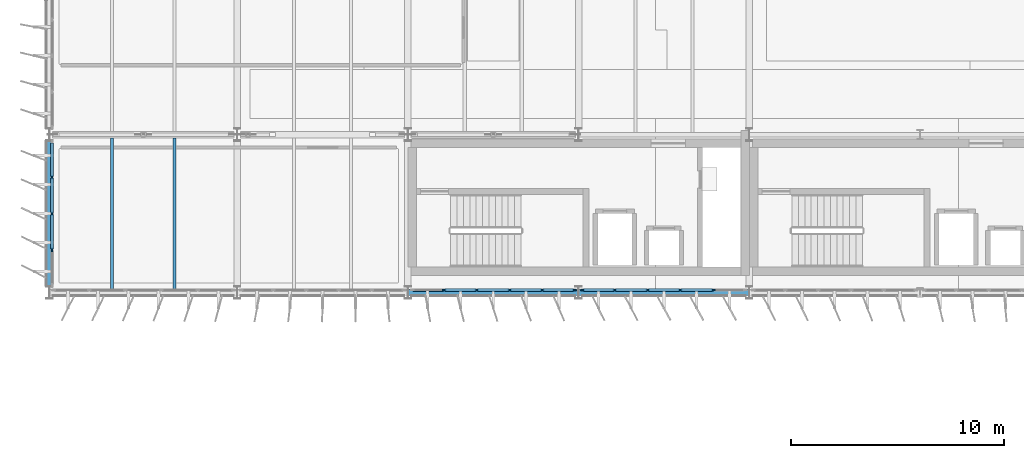
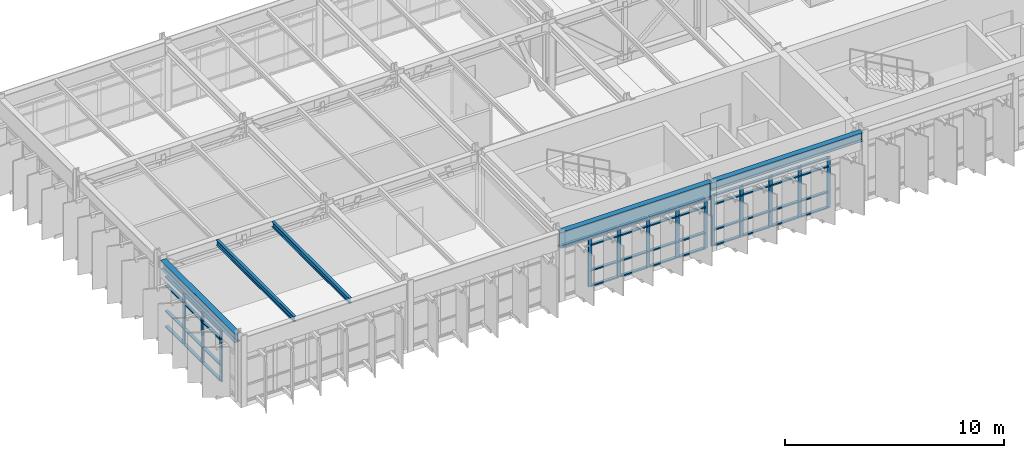
# One storey, part 10 of 56: 58 members, 5 beams, 3 elements without a shape of their own.
"""IFC4 building model written with IfcOpenShell, lengths in metres."""

from ifc_helpers import new_model, si_unit, direction, frame, origin, origin_2d, place, context, subcontext, project, spatial, rectangle, i_section, extrude, material, layer, layer_set, material_profile, profile_set, type_object, element, aggregate, save


model = new_model("IFC4")

# Units and contexts
model_context = context("Model", 3, precision=1e-05, world=origin(), true_north=direction((0.0, 1.0)))
body_context = subcontext(model_context, "Body", "Model", "MODEL_VIEW")
ifc_project = project(units=[si_unit("LENGTHUNIT", "METRE"), si_unit("AREAUNIT", "SQUARE_METRE"), si_unit("VOLUMEUNIT", "CUBIC_METRE"), si_unit("PLANEANGLEUNIT", "RADIAN"), si_unit("MASSUNIT", "GRAM", prefix="KILO")], contexts=[model_context])

# Site, building, storey
site_placement = place(None, origin())
site = spatial("IfcSite", under=ifc_project, at=site_placement, CompositionType="ELEMENT")
building_placement = place(site_placement, origin())
building = spatial("IfcBuilding", under=site, at=building_placement, Name="Valkorina Park Police Headquarters", CompositionType="ELEMENT")
storey_placement = place(building_placement, frame((0.0, 0.0, 14.10009765625)))
storey = spatial("IfcBuildingStorey", under=building, at=storey_placement, Name="L04", CompositionType="ELEMENT", Elevation=14.10009765625)

# Beams
ifc_material_1 = material(Name="Steel S355", Category="steel")
ifc_material_profile_1 = material_profile(ifc_material_1, i_section(OverallWidth=0.300048828125, OverallDepth=0.489990234375, WebThickness=0.011962890625, FlangeThickness=0.02294921875, FilletRadius=0.027099609375, at=origin_2d()), Name="HEA 500")
ifc_profile_set_1 = profile_set([ifc_material_profile_1], Name="Steel S355")
beam_type_1 = type_object("IfcBeamType", Name="BM-S355-HEA500-SPN", PredefinedType="SPANDREL", material=ifc_profile_set_1)
beam_1_placement = place(storey_placement, frame((24.8076171875, 37.0, 3.510009765625), z_axis=(1.0, 0.0, 0.0), x_axis=(0.0, 1.0, 0.0)))
element("IfcBeam", 1, at=beam_1_placement, inside=storey, type_object=beam_type_1, Name="L04 Framing Beam 2217", PredefinedType="SPANDREL", context=body_context, shape_type="SweptSolid", body=[
    extrude(i_section(OverallWidth=0.300048828125, OverallDepth=0.489990234375, WebThickness=0.011962890625, FlangeThickness=0.02294921875, FilletRadius=0.027099609375, at=origin_2d()), origin(), (0.0, 0.0, 1.0), 7.984619140625),
])
beam_2_placement = place(storey_placement, frame((0.0, 37.300048828125, 3.510009765625), z_axis=(0.0, 1.0, 0.0), x_axis=(-1.0, 0.0, 0.0)))
element("IfcBeam", 2, at=beam_2_placement, inside=storey, type_object=beam_type_1, Name="L04 Framing Beam 2291", PredefinedType="SPANDREL", context=body_context, shape_type="SweptSolid", body=[
    extrude(i_section(OverallWidth=0.300048828125, OverallDepth=0.489990234375, WebThickness=0.011962890625, FlangeThickness=0.02294921875, FilletRadius=0.027099609375, at=origin_2d()), origin(), (0.0, 0.0, 1.0), 6.800048828125),
])
ifc_material_profile_2 = material_profile(ifc_material_1, i_section(OverallWidth=0.300048828125, OverallDepth=0.89990234375, WebThickness=0.0185546875, FlangeThickness=0.034912109375, FilletRadius=0.030029296875, at=origin_2d()), Name="HEB 900")
ifc_profile_set_2 = profile_set([ifc_material_profile_2], Name="Steel S355")
beam_type_2 = type_object("IfcBeamType", Name="BM-S355-HEB900-EXT", PredefinedType="SPANDREL", material=ifc_profile_set_2)
beam_3_placement = place(storey_placement, frame((16.8076171875, 37.0, 3.304931640625), z_axis=(1.0, 0.0, 0.0), x_axis=(0.0, 1.0, 0.0)))
element("IfcBeam", 3, at=beam_3_placement, inside=storey, type_object=beam_type_2, Name="L04 Framing Beam 2216", PredefinedType="SPANDREL", context=body_context, shape_type="SweptSolid", body=[
    extrude(i_section(OverallWidth=0.300048828125, OverallDepth=0.89990234375, WebThickness=0.0185546875, FlangeThickness=0.034912109375, FilletRadius=0.030029296875, at=origin_2d()), origin(), (0.0, 0.0, 1.0), 7.984619140625),
])
ifc_material_profile_3 = material_profile(ifc_material_1, i_section(OverallWidth=0.14990234375, OverallDepth=0.300048828125, WebThickness=0.007080078125, FlangeThickness=0.0107421875, FilletRadius=0.014892578125, at=origin_2d()), Name="IPE 300")
ifc_profile_set_3 = profile_set([ifc_material_profile_3], Name="Steel S355")
beam_type_3 = type_object("IfcBeamType", Name="BM-S355-IPE300-JST", PredefinedType="JOIST", material=ifc_profile_set_3)
for number, where, z_axis, x_axis, name in (
    (4, (2.933349609375, 37.14990234375, 3.60498046875), (0.0, 1.0, 0.0), (-1.0, 0.0, 0.0), "L04 Framing Beam 2292"),
    (5, (5.86669921875, 37.14990234375, 3.60498046875), (0.0, 1.0, 0.0), (-1.0, 0.0, 0.0), "L04 Framing Beam 2293"),
):
    element("IfcBeam", number, at=place(storey_placement, frame(where, z_axis=z_axis, x_axis=x_axis)), inside=storey, type_object=beam_type_3, Name=name, PredefinedType="JOIST", context=body_context, shape_type="SweptSolid", body=[
        extrude(i_section(OverallWidth=0.14990234375, OverallDepth=0.300048828125, WebThickness=0.007080078125, FlangeThickness=0.0107421875, FilletRadius=0.014892578125, at=origin_2d()), origin(), (0.0, 0.0, 1.0), 7.10009765625),
    ])

# Curtain wall, members
ifc_material_2 = material(Name="Thermally broken aluminium AW-6060", Category="aluminium")
ifc_layer_1 = layer(ifc_material_2, 0.18994140625)
ifc_layer_set_1 = layer_set([ifc_layer_1], Name="Thermally broken aluminium AW-6060")
curtain_wall_type_1 = type_object("IfcCurtainWallType", Name="CW-V5-7680x2840", PredefinedType="NOTDEFINED", material=ifc_layer_set_1)
curtain_wall_1_placement = place(storey_placement, origin())
curtain_wall_1 = element("IfcCurtainWall", 6, at=curtain_wall_1_placement, inside=storey, type_object=curtain_wall_type_1, Name="L04 Unitised Curtain Wall 054", PredefinedType="NOTDEFINED")
ifc_material_profile_4 = material_profile(ifc_material_2, rectangle(XDim=0.070068359375, YDim=0.18994140625, at=origin_2d()), Name="CWM-02 70x190")
ifc_profile_set_4 = profile_set([ifc_material_profile_4], Name="Thermally broken aluminium AW-6060")
member_type_1 = type_object("IfcMemberType", Name="CWM-70x190", PredefinedType="MULLION", material=ifc_profile_set_4)
member_1_placement = place(storey_placement, frame((31.10400390625, 37.1201171875, 0.0), z_axis=(0.0, 0.0, 1.0), x_axis=(0.0, -1.0, 0.0)))
member_1 = element("IfcMember", 7, at=member_1_placement, type_object=member_type_1, Name="CW-V5-768-284 mullion 2", PredefinedType="MULLION", context=body_context, shape_type="SweptSolid", body=[
    extrude(rectangle(XDim=0.070068359375, YDim=0.18994140625, at=origin_2d()), origin(), (0.0, 0.0, 1.0), 2.844970703125),
])
member_2_placement = place(storey_placement, frame((29.568115234375, 37.1201171875, 0.0), z_axis=(0.0, 0.0, 1.0), x_axis=(0.0, -1.0, 0.0)))
member_2 = element("IfcMember", 8, at=member_2_placement, type_object=member_type_1, Name="CW-V5-768-284 mullion 3", PredefinedType="MULLION", context=body_context, shape_type="SweptSolid", body=[
    extrude(rectangle(XDim=0.070068359375, YDim=0.18994140625, at=origin_2d()), origin(), (0.0, 0.0, 1.0), 2.844970703125),
])
member_3_placement = place(storey_placement, frame((28.031982421875, 37.1201171875, 0.0), z_axis=(0.0, 0.0, 1.0), x_axis=(0.0, -1.0, 0.0)))
member_3 = element("IfcMember", 9, at=member_3_placement, type_object=member_type_1, Name="CW-V5-768-284 mullion 4", PredefinedType="MULLION", context=body_context, shape_type="SweptSolid", body=[
    extrude(rectangle(XDim=0.070068359375, YDim=0.18994140625, at=origin_2d()), origin(), (0.0, 0.0, 1.0), 2.844970703125),
])
member_4_placement = place(storey_placement, frame((26.49609375, 37.1201171875, 0.0), z_axis=(0.0, 0.0, 1.0), x_axis=(0.0, -1.0, 0.0)))
member_4 = element("IfcMember", 10, at=member_4_placement, type_object=member_type_1, Name="CW-V5-768-284 mullion 5", PredefinedType="MULLION", context=body_context, shape_type="SweptSolid", body=[
    extrude(rectangle(XDim=0.070068359375, YDim=0.18994140625, at=origin_2d()), origin(), (0.0, 0.0, 1.0), 2.844970703125),
])
member_5_placement = place(storey_placement, frame((24.9951171875, 37.1201171875, 0.0), z_axis=(0.0, 0.0, 1.0), x_axis=(0.0, -1.0, 0.0)))
member_5 = element("IfcMember", 11, at=member_5_placement, type_object=member_type_1, Name="CW-V5-768-284 mullion 6", PredefinedType="MULLION", context=body_context, shape_type="SweptSolid", body=[
    extrude(rectangle(XDim=0.070068359375, YDim=0.18994140625, at=origin_2d()), origin(), (0.0, 0.0, 1.0), 2.844970703125),
])

curtain_wall_2_placement = place(storey_placement, origin())
curtain_wall_2 = element("IfcCurtainWall", 12, at=curtain_wall_2_placement, inside=storey, type_object=curtain_wall_type_1, Name="L04 Unitised Curtain Wall 055", PredefinedType="NOTDEFINED")
member_6_placement = place(storey_placement, frame((24.60498046875, 37.1201171875, 0.0), z_axis=(0.0, 0.0, 1.0), x_axis=(0.0, -1.0, 0.0)))
member_6 = element("IfcMember", 13, at=member_6_placement, type_object=member_type_1, Name="CW-V5-768-284 mullion 1", PredefinedType="MULLION", context=body_context, shape_type="SweptSolid", body=[
    extrude(rectangle(XDim=0.070068359375, YDim=0.18994140625, at=origin_2d()), origin(), (0.0, 0.0, 1.0), 2.844970703125),
])
member_7_placement = place(storey_placement, frame((23.10400390625, 37.1201171875, 0.0), z_axis=(0.0, 0.0, 1.0), x_axis=(0.0, -1.0, 0.0)))
member_7 = element("IfcMember", 14, at=member_7_placement, type_object=member_type_1, Name="CW-V5-768-284 mullion 2", PredefinedType="MULLION", context=body_context, shape_type="SweptSolid", body=[
    extrude(rectangle(XDim=0.070068359375, YDim=0.18994140625, at=origin_2d()), origin(), (0.0, 0.0, 1.0), 2.844970703125),
])
member_8_placement = place(storey_placement, frame((21.568115234375, 37.1201171875, 0.0), z_axis=(0.0, 0.0, 1.0), x_axis=(0.0, -1.0, 0.0)))
member_8 = element("IfcMember", 15, at=member_8_placement, type_object=member_type_1, Name="CW-V5-768-284 mullion 3", PredefinedType="MULLION", context=body_context, shape_type="SweptSolid", body=[
    extrude(rectangle(XDim=0.070068359375, YDim=0.18994140625, at=origin_2d()), origin(), (0.0, 0.0, 1.0), 2.844970703125),
])
member_9_placement = place(storey_placement, frame((20.031982421875, 37.1201171875, 0.0), z_axis=(0.0, 0.0, 1.0), x_axis=(0.0, -1.0, 0.0)))
member_9 = element("IfcMember", 16, at=member_9_placement, type_object=member_type_1, Name="CW-V5-768-284 mullion 4", PredefinedType="MULLION", context=body_context, shape_type="SweptSolid", body=[
    extrude(rectangle(XDim=0.070068359375, YDim=0.18994140625, at=origin_2d()), origin(), (0.0, 0.0, 1.0), 2.844970703125),
])
member_10_placement = place(storey_placement, frame((18.49609375, 37.1201171875, 0.0), z_axis=(0.0, 0.0, 1.0), x_axis=(0.0, -1.0, 0.0)))
member_10 = element("IfcMember", 17, at=member_10_placement, type_object=member_type_1, Name="CW-V5-768-284 mullion 5", PredefinedType="MULLION", context=body_context, shape_type="SweptSolid", body=[
    extrude(rectangle(XDim=0.070068359375, YDim=0.18994140625, at=origin_2d()), origin(), (0.0, 0.0, 1.0), 2.844970703125),
])

ifc_layer_2 = layer(ifc_material_2, 0.18994140625)
ifc_layer_set_2 = layer_set([ifc_layer_2], Name="Thermally broken aluminium AW-6060")
curtain_wall_type_2 = type_object("IfcCurtainWallType", Name="CW-V5-6780x2840", PredefinedType="NOTDEFINED", material=ifc_layer_set_2)
curtain_wall_3_placement = place(storey_placement, origin())
curtain_wall_3 = element("IfcCurtainWall", 18, at=curtain_wall_3_placement, inside=storey, type_object=curtain_wall_type_2, Name="L04 Unitised Curtain Wall 058", PredefinedType="NOTDEFINED")
member_11_placement = place(storey_placement, frame((0.1201171875, 39.0048828125, 0.0), z_axis=(0.0, 0.0, 1.0), x_axis=(-1.0, 0.0, 0.0)))
member_11 = element("IfcMember", 19, at=member_11_placement, type_object=member_type_1, Name="CW-V5-678-284 mullion 2", PredefinedType="MULLION", context=body_context, shape_type="SweptSolid", body=[
    extrude(rectangle(XDim=0.070068359375, YDim=0.18994140625, at=origin_2d()), origin(), (0.0, 0.0, 1.0), 2.844970703125),
])
member_12_placement = place(storey_placement, frame((0.1201171875, 40.699951171875, 0.0), z_axis=(0.0, 0.0, 1.0), x_axis=(-1.0, 0.0, 0.0)))
member_12 = element("IfcMember", 20, at=member_12_placement, type_object=member_type_1, Name="CW-V5-678-284 mullion 3", PredefinedType="MULLION", context=body_context, shape_type="SweptSolid", body=[
    extrude(rectangle(XDim=0.070068359375, YDim=0.18994140625, at=origin_2d()), origin(), (0.0, 0.0, 1.0), 2.844970703125),
])
member_13_placement = place(storey_placement, frame((0.1201171875, 42.39501953125, 0.0), z_axis=(0.0, 0.0, 1.0), x_axis=(-1.0, 0.0, 0.0)))
member_13 = element("IfcMember", 21, at=member_13_placement, type_object=member_type_1, Name="CW-V5-678-284 mullion 4", PredefinedType="MULLION", context=body_context, shape_type="SweptSolid", body=[
    extrude(rectangle(XDim=0.070068359375, YDim=0.18994140625, at=origin_2d()), origin(), (0.0, 0.0, 1.0), 2.844970703125),
])

# Member
ifc_material_profile_5 = material_profile(ifc_material_2, rectangle(XDim=0.14990234375, YDim=0.070068359375, at=origin_2d()), Name="CWT-02 150x70")
ifc_profile_set_5 = profile_set([ifc_material_profile_5], Name="Thermally broken aluminium AW-6060")
member_type_2 = type_object("IfcMemberType", Name="CWT-150x70", PredefinedType="USERDEFINED", material=ifc_profile_set_5)
member_14_placement = place(storey_placement, frame((31.069091796875, 37.1201171875, 0.034912109375), z_axis=(-1.0, 0.0, 0.0), x_axis=(0.0, -1.0, 0.0)))
member_14 = element("IfcMember", 22, at=member_14_placement, type_object=member_type_2, Name="CW-V5-768-284 transom 2.1", ObjectType="TRANSOM", PredefinedType="USERDEFINED", context=body_context, shape_type="SweptSolid", body=[
    extrude(rectangle(XDim=0.14990234375, YDim=0.070068359375, at=origin_2d()), origin(), (0.0, 0.0, 1.0), 1.466064453125),
])

member_15_placement = place(storey_placement, frame((31.069091796875, 37.1201171875, 0.89990234375), z_axis=(-1.0, 0.0, 0.0), x_axis=(0.0, -1.0, 0.0)))
member_15 = element("IfcMember", 23, at=member_15_placement, type_object=member_type_2, Name="CW-V5-768-284 transom 2.2", ObjectType="TRANSOM", PredefinedType="USERDEFINED", context=body_context, shape_type="SweptSolid", body=[
    extrude(rectangle(XDim=0.14990234375, YDim=0.070068359375, at=origin_2d()), origin(), (0.0, 0.0, 1.0), 1.466064453125),
])

member_16_placement = place(storey_placement, frame((31.069091796875, 37.1201171875, 2.324951171875), z_axis=(-1.0, 0.0, 0.0), x_axis=(0.0, -1.0, 0.0)))
member_16 = element("IfcMember", 24, at=member_16_placement, type_object=member_type_2, Name="CW-V5-768-284 transom 2.3", ObjectType="TRANSOM", PredefinedType="USERDEFINED", context=body_context, shape_type="SweptSolid", body=[
    extrude(rectangle(XDim=0.14990234375, YDim=0.070068359375, at=origin_2d()), origin(), (0.0, 0.0, 1.0), 1.466064453125),
])

member_17_placement = place(storey_placement, frame((31.069091796875, 37.1201171875, 2.809814453125), z_axis=(-1.0, 0.0, 0.0), x_axis=(0.0, -1.0, 0.0)))
member_17 = element("IfcMember", 25, at=member_17_placement, type_object=member_type_2, Name="CW-V5-768-284 transom 2.4", ObjectType="TRANSOM", PredefinedType="USERDEFINED", context=body_context, shape_type="SweptSolid", body=[
    extrude(rectangle(XDim=0.14990234375, YDim=0.070068359375, at=origin_2d()), origin(), (0.0, 0.0, 1.0), 1.466064453125),
])

member_18_placement = place(storey_placement, frame((29.532958984375, 37.1201171875, 0.034912109375), z_axis=(-1.0, 0.0, 0.0), x_axis=(0.0, -1.0, 0.0)))
member_18 = element("IfcMember", 26, at=member_18_placement, type_object=member_type_2, Name="CW-V5-768-284 transom 3.1", ObjectType="TRANSOM", PredefinedType="USERDEFINED", context=body_context, shape_type="SweptSolid", body=[
    extrude(rectangle(XDim=0.14990234375, YDim=0.070068359375, at=origin_2d()), origin(), (0.0, 0.0, 1.0), 1.466064453125),
])

member_19_placement = place(storey_placement, frame((29.532958984375, 37.1201171875, 0.89990234375), z_axis=(-1.0, 0.0, 0.0), x_axis=(0.0, -1.0, 0.0)))
member_19 = element("IfcMember", 27, at=member_19_placement, type_object=member_type_2, Name="CW-V5-768-284 transom 3.2", ObjectType="TRANSOM", PredefinedType="USERDEFINED", context=body_context, shape_type="SweptSolid", body=[
    extrude(rectangle(XDim=0.14990234375, YDim=0.070068359375, at=origin_2d()), origin(), (0.0, 0.0, 1.0), 1.466064453125),
])

member_20_placement = place(storey_placement, frame((29.532958984375, 37.1201171875, 2.324951171875), z_axis=(-1.0, 0.0, 0.0), x_axis=(0.0, -1.0, 0.0)))
member_20 = element("IfcMember", 28, at=member_20_placement, type_object=member_type_2, Name="CW-V5-768-284 transom 3.3", ObjectType="TRANSOM", PredefinedType="USERDEFINED", context=body_context, shape_type="SweptSolid", body=[
    extrude(rectangle(XDim=0.14990234375, YDim=0.070068359375, at=origin_2d()), origin(), (0.0, 0.0, 1.0), 1.466064453125),
])

member_21_placement = place(storey_placement, frame((29.532958984375, 37.1201171875, 2.809814453125), z_axis=(-1.0, 0.0, 0.0), x_axis=(0.0, -1.0, 0.0)))
member_21 = element("IfcMember", 29, at=member_21_placement, type_object=member_type_2, Name="CW-V5-768-284 transom 3.4", ObjectType="TRANSOM", PredefinedType="USERDEFINED", context=body_context, shape_type="SweptSolid", body=[
    extrude(rectangle(XDim=0.14990234375, YDim=0.070068359375, at=origin_2d()), origin(), (0.0, 0.0, 1.0), 1.466064453125),
])

member_22_placement = place(storey_placement, frame((27.9970703125, 37.1201171875, 0.034912109375), z_axis=(-1.0, 0.0, 0.0), x_axis=(0.0, -1.0, 0.0)))
member_22 = element("IfcMember", 30, at=member_22_placement, type_object=member_type_2, Name="CW-V5-768-284 transom 4.1", ObjectType="TRANSOM", PredefinedType="USERDEFINED", context=body_context, shape_type="SweptSolid", body=[
    extrude(rectangle(XDim=0.14990234375, YDim=0.070068359375, at=origin_2d()), origin(), (0.0, 0.0, 1.0), 1.466064453125),
])

member_23_placement = place(storey_placement, frame((27.9970703125, 37.1201171875, 0.89990234375), z_axis=(-1.0, 0.0, 0.0), x_axis=(0.0, -1.0, 0.0)))
member_23 = element("IfcMember", 31, at=member_23_placement, type_object=member_type_2, Name="CW-V5-768-284 transom 4.2", ObjectType="TRANSOM", PredefinedType="USERDEFINED", context=body_context, shape_type="SweptSolid", body=[
    extrude(rectangle(XDim=0.14990234375, YDim=0.070068359375, at=origin_2d()), origin(), (0.0, 0.0, 1.0), 1.466064453125),
])

member_24_placement = place(storey_placement, frame((27.9970703125, 37.1201171875, 2.324951171875), z_axis=(-1.0, 0.0, 0.0), x_axis=(0.0, -1.0, 0.0)))
member_24 = element("IfcMember", 32, at=member_24_placement, type_object=member_type_2, Name="CW-V5-768-284 transom 4.3", ObjectType="TRANSOM", PredefinedType="USERDEFINED", context=body_context, shape_type="SweptSolid", body=[
    extrude(rectangle(XDim=0.14990234375, YDim=0.070068359375, at=origin_2d()), origin(), (0.0, 0.0, 1.0), 1.466064453125),
])

member_25_placement = place(storey_placement, frame((27.9970703125, 37.1201171875, 2.809814453125), z_axis=(-1.0, 0.0, 0.0), x_axis=(0.0, -1.0, 0.0)))
member_25 = element("IfcMember", 33, at=member_25_placement, type_object=member_type_2, Name="CW-V5-768-284 transom 4.4", ObjectType="TRANSOM", PredefinedType="USERDEFINED", context=body_context, shape_type="SweptSolid", body=[
    extrude(rectangle(XDim=0.14990234375, YDim=0.070068359375, at=origin_2d()), origin(), (0.0, 0.0, 1.0), 1.466064453125),
])

member_26_placement = place(storey_placement, frame((26.4609375, 37.1201171875, 0.034912109375), z_axis=(-1.0, 0.0, 0.0), x_axis=(0.0, -1.0, 0.0)))
member_26 = element("IfcMember", 34, at=member_26_placement, type_object=member_type_2, Name="CW-V5-768-284 transom 5.1", ObjectType="TRANSOM", PredefinedType="USERDEFINED", context=body_context, shape_type="SweptSolid", body=[
    extrude(rectangle(XDim=0.14990234375, YDim=0.070068359375, at=origin_2d()), origin(), (0.0, 0.0, 1.0), 1.430908203125),
])

member_27_placement = place(storey_placement, frame((26.4609375, 37.1201171875, 0.89990234375), z_axis=(-1.0, 0.0, 0.0), x_axis=(0.0, -1.0, 0.0)))
member_27 = element("IfcMember", 35, at=member_27_placement, type_object=member_type_2, Name="CW-V5-768-284 transom 5.2", ObjectType="TRANSOM", PredefinedType="USERDEFINED", context=body_context, shape_type="SweptSolid", body=[
    extrude(rectangle(XDim=0.14990234375, YDim=0.070068359375, at=origin_2d()), origin(), (0.0, 0.0, 1.0), 1.430908203125),
])

member_28_placement = place(storey_placement, frame((26.4609375, 37.1201171875, 2.324951171875), z_axis=(-1.0, 0.0, 0.0), x_axis=(0.0, -1.0, 0.0)))
member_28 = element("IfcMember", 36, at=member_28_placement, type_object=member_type_2, Name="CW-V5-768-284 transom 5.3", ObjectType="TRANSOM", PredefinedType="USERDEFINED", context=body_context, shape_type="SweptSolid", body=[
    extrude(rectangle(XDim=0.14990234375, YDim=0.070068359375, at=origin_2d()), origin(), (0.0, 0.0, 1.0), 1.430908203125),
])

member_29_placement = place(storey_placement, frame((26.4609375, 37.1201171875, 2.809814453125), z_axis=(-1.0, 0.0, 0.0), x_axis=(0.0, -1.0, 0.0)))
member_29 = element("IfcMember", 37, at=member_29_placement, type_object=member_type_2, Name="CW-V5-768-284 transom 5.4", ObjectType="TRANSOM", PredefinedType="USERDEFINED", context=body_context, shape_type="SweptSolid", body=[
    extrude(rectangle(XDim=0.14990234375, YDim=0.070068359375, at=origin_2d()), origin(), (0.0, 0.0, 1.0), 1.430908203125),
])

aggregate(curtain_wall_1, [member_1, member_2, member_3, member_4, member_5, member_14, member_15, member_16, member_17, member_18, member_19, member_20, member_21, member_22, member_23, member_24, member_25, member_26, member_27, member_28, member_29])

member_30_placement = place(storey_placement, frame((24.570068359375, 37.1201171875, 0.034912109375), z_axis=(-1.0, 0.0, 0.0), x_axis=(0.0, -1.0, 0.0)))
member_30 = element("IfcMember", 38, at=member_30_placement, type_object=member_type_2, Name="CW-V5-768-284 transom 1.1", ObjectType="TRANSOM", PredefinedType="USERDEFINED", context=body_context, shape_type="SweptSolid", body=[
    extrude(rectangle(XDim=0.14990234375, YDim=0.070068359375, at=origin_2d()), origin(), (0.0, 0.0, 1.0), 1.43115234375),
])

member_31_placement = place(storey_placement, frame((24.570068359375, 37.1201171875, 0.89990234375), z_axis=(-1.0, 0.0, 0.0), x_axis=(0.0, -1.0, 0.0)))
member_31 = element("IfcMember", 39, at=member_31_placement, type_object=member_type_2, Name="CW-V5-768-284 transom 1.2", ObjectType="TRANSOM", PredefinedType="USERDEFINED", context=body_context, shape_type="SweptSolid", body=[
    extrude(rectangle(XDim=0.14990234375, YDim=0.070068359375, at=origin_2d()), origin(), (0.0, 0.0, 1.0), 1.43115234375),
])

member_32_placement = place(storey_placement, frame((24.570068359375, 37.1201171875, 2.324951171875), z_axis=(-1.0, 0.0, 0.0), x_axis=(0.0, -1.0, 0.0)))
member_32 = element("IfcMember", 40, at=member_32_placement, type_object=member_type_2, Name="CW-V5-768-284 transom 1.3", ObjectType="TRANSOM", PredefinedType="USERDEFINED", context=body_context, shape_type="SweptSolid", body=[
    extrude(rectangle(XDim=0.14990234375, YDim=0.070068359375, at=origin_2d()), origin(), (0.0, 0.0, 1.0), 1.43115234375),
])

member_33_placement = place(storey_placement, frame((24.570068359375, 37.1201171875, 2.809814453125), z_axis=(-1.0, 0.0, 0.0), x_axis=(0.0, -1.0, 0.0)))
member_33 = element("IfcMember", 41, at=member_33_placement, type_object=member_type_2, Name="CW-V5-768-284 transom 1.4", ObjectType="TRANSOM", PredefinedType="USERDEFINED", context=body_context, shape_type="SweptSolid", body=[
    extrude(rectangle(XDim=0.14990234375, YDim=0.070068359375, at=origin_2d()), origin(), (0.0, 0.0, 1.0), 1.43115234375),
])

member_34_placement = place(storey_placement, frame((23.069091796875, 37.1201171875, 0.034912109375), z_axis=(-1.0, 0.0, 0.0), x_axis=(0.0, -1.0, 0.0)))
member_34 = element("IfcMember", 42, at=member_34_placement, type_object=member_type_2, Name="CW-V5-768-284 transom 2.1", ObjectType="TRANSOM", PredefinedType="USERDEFINED", context=body_context, shape_type="SweptSolid", body=[
    extrude(rectangle(XDim=0.14990234375, YDim=0.070068359375, at=origin_2d()), origin(), (0.0, 0.0, 1.0), 1.466064453125),
])

member_35_placement = place(storey_placement, frame((23.069091796875, 37.1201171875, 0.89990234375), z_axis=(-1.0, 0.0, 0.0), x_axis=(0.0, -1.0, 0.0)))
member_35 = element("IfcMember", 43, at=member_35_placement, type_object=member_type_2, Name="CW-V5-768-284 transom 2.2", ObjectType="TRANSOM", PredefinedType="USERDEFINED", context=body_context, shape_type="SweptSolid", body=[
    extrude(rectangle(XDim=0.14990234375, YDim=0.070068359375, at=origin_2d()), origin(), (0.0, 0.0, 1.0), 1.466064453125),
])

member_36_placement = place(storey_placement, frame((23.069091796875, 37.1201171875, 2.324951171875), z_axis=(-1.0, 0.0, 0.0), x_axis=(0.0, -1.0, 0.0)))
member_36 = element("IfcMember", 44, at=member_36_placement, type_object=member_type_2, Name="CW-V5-768-284 transom 2.3", ObjectType="TRANSOM", PredefinedType="USERDEFINED", context=body_context, shape_type="SweptSolid", body=[
    extrude(rectangle(XDim=0.14990234375, YDim=0.070068359375, at=origin_2d()), origin(), (0.0, 0.0, 1.0), 1.466064453125),
])

member_37_placement = place(storey_placement, frame((23.069091796875, 37.1201171875, 2.809814453125), z_axis=(-1.0, 0.0, 0.0), x_axis=(0.0, -1.0, 0.0)))
member_37 = element("IfcMember", 45, at=member_37_placement, type_object=member_type_2, Name="CW-V5-768-284 transom 2.4", ObjectType="TRANSOM", PredefinedType="USERDEFINED", context=body_context, shape_type="SweptSolid", body=[
    extrude(rectangle(XDim=0.14990234375, YDim=0.070068359375, at=origin_2d()), origin(), (0.0, 0.0, 1.0), 1.466064453125),
])

member_38_placement = place(storey_placement, frame((21.532958984375, 37.1201171875, 0.034912109375), z_axis=(-1.0, 0.0, 0.0), x_axis=(0.0, -1.0, 0.0)))
member_38 = element("IfcMember", 46, at=member_38_placement, type_object=member_type_2, Name="CW-V5-768-284 transom 3.1", ObjectType="TRANSOM", PredefinedType="USERDEFINED", context=body_context, shape_type="SweptSolid", body=[
    extrude(rectangle(XDim=0.14990234375, YDim=0.070068359375, at=origin_2d()), origin(), (0.0, 0.0, 1.0), 1.466064453125),
])

member_39_placement = place(storey_placement, frame((21.532958984375, 37.1201171875, 0.89990234375), z_axis=(-1.0, 0.0, 0.0), x_axis=(0.0, -1.0, 0.0)))
member_39 = element("IfcMember", 47, at=member_39_placement, type_object=member_type_2, Name="CW-V5-768-284 transom 3.2", ObjectType="TRANSOM", PredefinedType="USERDEFINED", context=body_context, shape_type="SweptSolid", body=[
    extrude(rectangle(XDim=0.14990234375, YDim=0.070068359375, at=origin_2d()), origin(), (0.0, 0.0, 1.0), 1.466064453125),
])

member_40_placement = place(storey_placement, frame((21.532958984375, 37.1201171875, 2.324951171875), z_axis=(-1.0, 0.0, 0.0), x_axis=(0.0, -1.0, 0.0)))
member_40 = element("IfcMember", 48, at=member_40_placement, type_object=member_type_2, Name="CW-V5-768-284 transom 3.3", ObjectType="TRANSOM", PredefinedType="USERDEFINED", context=body_context, shape_type="SweptSolid", body=[
    extrude(rectangle(XDim=0.14990234375, YDim=0.070068359375, at=origin_2d()), origin(), (0.0, 0.0, 1.0), 1.466064453125),
])

member_41_placement = place(storey_placement, frame((21.532958984375, 37.1201171875, 2.809814453125), z_axis=(-1.0, 0.0, 0.0), x_axis=(0.0, -1.0, 0.0)))
member_41 = element("IfcMember", 49, at=member_41_placement, type_object=member_type_2, Name="CW-V5-768-284 transom 3.4", ObjectType="TRANSOM", PredefinedType="USERDEFINED", context=body_context, shape_type="SweptSolid", body=[
    extrude(rectangle(XDim=0.14990234375, YDim=0.070068359375, at=origin_2d()), origin(), (0.0, 0.0, 1.0), 1.466064453125),
])

member_42_placement = place(storey_placement, frame((19.9970703125, 37.1201171875, 0.034912109375), z_axis=(-1.0, 0.0, 0.0), x_axis=(0.0, -1.0, 0.0)))
member_42 = element("IfcMember", 50, at=member_42_placement, type_object=member_type_2, Name="CW-V5-768-284 transom 4.1", ObjectType="TRANSOM", PredefinedType="USERDEFINED", context=body_context, shape_type="SweptSolid", body=[
    extrude(rectangle(XDim=0.14990234375, YDim=0.070068359375, at=origin_2d()), origin(), (0.0, 0.0, 1.0), 1.466064453125),
])

member_43_placement = place(storey_placement, frame((19.9970703125, 37.1201171875, 0.89990234375), z_axis=(-1.0, 0.0, 0.0), x_axis=(0.0, -1.0, 0.0)))
member_43 = element("IfcMember", 51, at=member_43_placement, type_object=member_type_2, Name="CW-V5-768-284 transom 4.2", ObjectType="TRANSOM", PredefinedType="USERDEFINED", context=body_context, shape_type="SweptSolid", body=[
    extrude(rectangle(XDim=0.14990234375, YDim=0.070068359375, at=origin_2d()), origin(), (0.0, 0.0, 1.0), 1.466064453125),
])

member_44_placement = place(storey_placement, frame((19.9970703125, 37.1201171875, 2.324951171875), z_axis=(-1.0, 0.0, 0.0), x_axis=(0.0, -1.0, 0.0)))
member_44 = element("IfcMember", 52, at=member_44_placement, type_object=member_type_2, Name="CW-V5-768-284 transom 4.3", ObjectType="TRANSOM", PredefinedType="USERDEFINED", context=body_context, shape_type="SweptSolid", body=[
    extrude(rectangle(XDim=0.14990234375, YDim=0.070068359375, at=origin_2d()), origin(), (0.0, 0.0, 1.0), 1.466064453125),
])

member_45_placement = place(storey_placement, frame((19.9970703125, 37.1201171875, 2.809814453125), z_axis=(-1.0, 0.0, 0.0), x_axis=(0.0, -1.0, 0.0)))
member_45 = element("IfcMember", 53, at=member_45_placement, type_object=member_type_2, Name="CW-V5-768-284 transom 4.4", ObjectType="TRANSOM", PredefinedType="USERDEFINED", context=body_context, shape_type="SweptSolid", body=[
    extrude(rectangle(XDim=0.14990234375, YDim=0.070068359375, at=origin_2d()), origin(), (0.0, 0.0, 1.0), 1.466064453125),
])

member_46_placement = place(storey_placement, frame((18.4609375, 37.1201171875, 2.809814453125), z_axis=(-1.0, 0.0, 0.0), x_axis=(0.0, -1.0, 0.0)))
member_46 = element("IfcMember", 54, at=member_46_placement, type_object=member_type_2, Name="CW-V5-768-284 transom 5.4", ObjectType="TRANSOM", PredefinedType="USERDEFINED", context=body_context, shape_type="SweptSolid", body=[
    extrude(rectangle(XDim=0.14990234375, YDim=0.070068359375, at=origin_2d()), origin(), (0.0, 0.0, 1.0), 1.430908203125),
])

aggregate(curtain_wall_2, [member_6, member_7, member_8, member_9, member_10, member_30, member_31, member_32, member_33, member_34, member_35, member_36, member_37, member_38, member_39, member_40, member_41, member_42, member_43, member_44, member_45, member_46])

member_47_placement = place(storey_placement, frame((0.1201171875, 39.0400390625, 0.034912109375), z_axis=(0.0, 1.0, 0.0), x_axis=(-1.0, 0.0, 0.0)))
member_47 = element("IfcMember", 55, at=member_47_placement, type_object=member_type_2, Name="CW-V5-678-284 transom 2.1", ObjectType="TRANSOM", PredefinedType="USERDEFINED", context=body_context, shape_type="SweptSolid", body=[
    extrude(rectangle(XDim=0.14990234375, YDim=0.070068359375, at=origin_2d()), origin(), (0.0, 0.0, 1.0), 1.625),
])

member_48_placement = place(storey_placement, frame((0.1201171875, 39.0400390625, 0.89990234375), z_axis=(0.0, 1.0, 0.0), x_axis=(-1.0, 0.0, 0.0)))
member_48 = element("IfcMember", 56, at=member_48_placement, type_object=member_type_2, Name="CW-V5-678-284 transom 2.2", ObjectType="TRANSOM", PredefinedType="USERDEFINED", context=body_context, shape_type="SweptSolid", body=[
    extrude(rectangle(XDim=0.14990234375, YDim=0.070068359375, at=origin_2d()), origin(), (0.0, 0.0, 1.0), 1.625),
])

member_49_placement = place(storey_placement, frame((0.1201171875, 39.0400390625, 2.324951171875), z_axis=(0.0, 1.0, 0.0), x_axis=(-1.0, 0.0, 0.0)))
member_49 = element("IfcMember", 57, at=member_49_placement, type_object=member_type_2, Name="CW-V5-678-284 transom 2.3", ObjectType="TRANSOM", PredefinedType="USERDEFINED", context=body_context, shape_type="SweptSolid", body=[
    extrude(rectangle(XDim=0.14990234375, YDim=0.070068359375, at=origin_2d()), origin(), (0.0, 0.0, 1.0), 1.625),
])

member_50_placement = place(storey_placement, frame((0.1201171875, 39.0400390625, 2.809814453125), z_axis=(0.0, 1.0, 0.0), x_axis=(-1.0, 0.0, 0.0)))
member_50 = element("IfcMember", 58, at=member_50_placement, type_object=member_type_2, Name="CW-V5-678-284 transom 2.4", ObjectType="TRANSOM", PredefinedType="USERDEFINED", context=body_context, shape_type="SweptSolid", body=[
    extrude(rectangle(XDim=0.14990234375, YDim=0.070068359375, at=origin_2d()), origin(), (0.0, 0.0, 1.0), 1.625),
])

member_51_placement = place(storey_placement, frame((0.1201171875, 40.735107421875, 0.034912109375), z_axis=(0.0, 1.0, 0.0), x_axis=(-1.0, 0.0, 0.0)))
member_51 = element("IfcMember", 59, at=member_51_placement, type_object=member_type_2, Name="CW-V5-678-284 transom 3.1", ObjectType="TRANSOM", PredefinedType="USERDEFINED", context=body_context, shape_type="SweptSolid", body=[
    extrude(rectangle(XDim=0.14990234375, YDim=0.070068359375, at=origin_2d()), origin(), (0.0, 0.0, 1.0), 1.625),
])

member_52_placement = place(storey_placement, frame((0.1201171875, 40.735107421875, 0.89990234375), z_axis=(0.0, 1.0, 0.0), x_axis=(-1.0, 0.0, 0.0)))
member_52 = element("IfcMember", 60, at=member_52_placement, type_object=member_type_2, Name="CW-V5-678-284 transom 3.2", ObjectType="TRANSOM", PredefinedType="USERDEFINED", context=body_context, shape_type="SweptSolid", body=[
    extrude(rectangle(XDim=0.14990234375, YDim=0.070068359375, at=origin_2d()), origin(), (0.0, 0.0, 1.0), 1.625),
])

member_53_placement = place(storey_placement, frame((0.1201171875, 40.735107421875, 2.324951171875), z_axis=(0.0, 1.0, 0.0), x_axis=(-1.0, 0.0, 0.0)))
member_53 = element("IfcMember", 61, at=member_53_placement, type_object=member_type_2, Name="CW-V5-678-284 transom 3.3", ObjectType="TRANSOM", PredefinedType="USERDEFINED", context=body_context, shape_type="SweptSolid", body=[
    extrude(rectangle(XDim=0.14990234375, YDim=0.070068359375, at=origin_2d()), origin(), (0.0, 0.0, 1.0), 1.625),
])

member_54_placement = place(storey_placement, frame((0.1201171875, 40.735107421875, 2.809814453125), z_axis=(0.0, 1.0, 0.0), x_axis=(-1.0, 0.0, 0.0)))
member_54 = element("IfcMember", 62, at=member_54_placement, type_object=member_type_2, Name="CW-V5-678-284 transom 3.4", ObjectType="TRANSOM", PredefinedType="USERDEFINED", context=body_context, shape_type="SweptSolid", body=[
    extrude(rectangle(XDim=0.14990234375, YDim=0.070068359375, at=origin_2d()), origin(), (0.0, 0.0, 1.0), 1.625),
])

member_55_placement = place(storey_placement, frame((0.1201171875, 42.429931640625, 0.034912109375), z_axis=(0.0, 1.0, 0.0), x_axis=(-1.0, 0.0, 0.0)))
member_55 = element("IfcMember", 63, at=member_55_placement, type_object=member_type_2, Name="CW-V5-678-284 transom 4.1", ObjectType="TRANSOM", PredefinedType="USERDEFINED", context=body_context, shape_type="SweptSolid", body=[
    extrude(rectangle(XDim=0.14990234375, YDim=0.070068359375, at=origin_2d()), origin(), (0.0, 0.0, 1.0), 1.590087890625),
])

member_56_placement = place(storey_placement, frame((0.1201171875, 42.429931640625, 0.89990234375), z_axis=(0.0, 1.0, 0.0), x_axis=(-1.0, 0.0, 0.0)))
member_56 = element("IfcMember", 64, at=member_56_placement, type_object=member_type_2, Name="CW-V5-678-284 transom 4.2", ObjectType="TRANSOM", PredefinedType="USERDEFINED", context=body_context, shape_type="SweptSolid", body=[
    extrude(rectangle(XDim=0.14990234375, YDim=0.070068359375, at=origin_2d()), origin(), (0.0, 0.0, 1.0), 1.590087890625),
])

member_57_placement = place(storey_placement, frame((0.1201171875, 42.429931640625, 2.324951171875), z_axis=(0.0, 1.0, 0.0), x_axis=(-1.0, 0.0, 0.0)))
member_57 = element("IfcMember", 65, at=member_57_placement, type_object=member_type_2, Name="CW-V5-678-284 transom 4.3", ObjectType="TRANSOM", PredefinedType="USERDEFINED", context=body_context, shape_type="SweptSolid", body=[
    extrude(rectangle(XDim=0.14990234375, YDim=0.070068359375, at=origin_2d()), origin(), (0.0, 0.0, 1.0), 1.590087890625),
])

member_58_placement = place(storey_placement, frame((0.1201171875, 42.429931640625, 2.809814453125), z_axis=(0.0, 1.0, 0.0), x_axis=(-1.0, 0.0, 0.0)))
member_58 = element("IfcMember", 66, at=member_58_placement, type_object=member_type_2, Name="CW-V5-678-284 transom 4.4", ObjectType="TRANSOM", PredefinedType="USERDEFINED", context=body_context, shape_type="SweptSolid", body=[
    extrude(rectangle(XDim=0.14990234375, YDim=0.070068359375, at=origin_2d()), origin(), (0.0, 0.0, 1.0), 1.590087890625),
])

aggregate(curtain_wall_3, [member_11, member_12, member_13, member_47, member_48, member_49, member_50, member_51, member_52, member_53, member_54, member_55, member_56, member_57, member_58])

save(model, "model.ifc")
